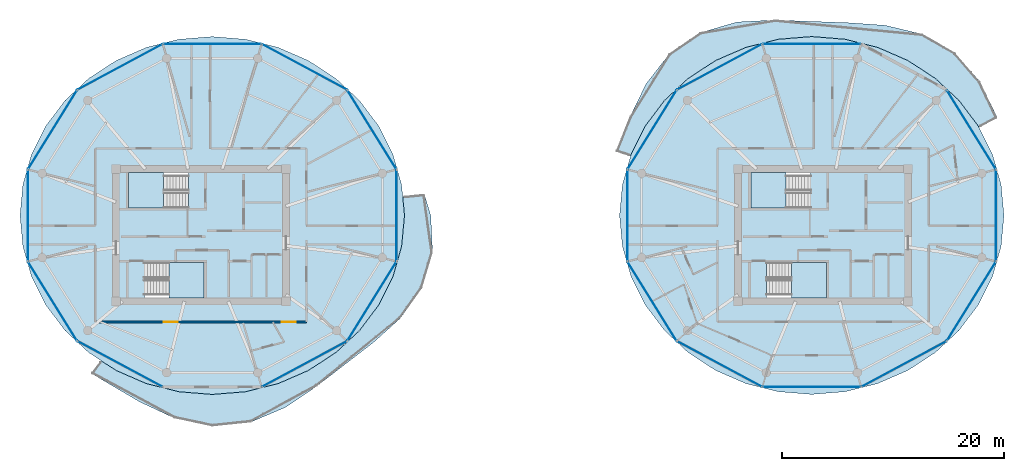
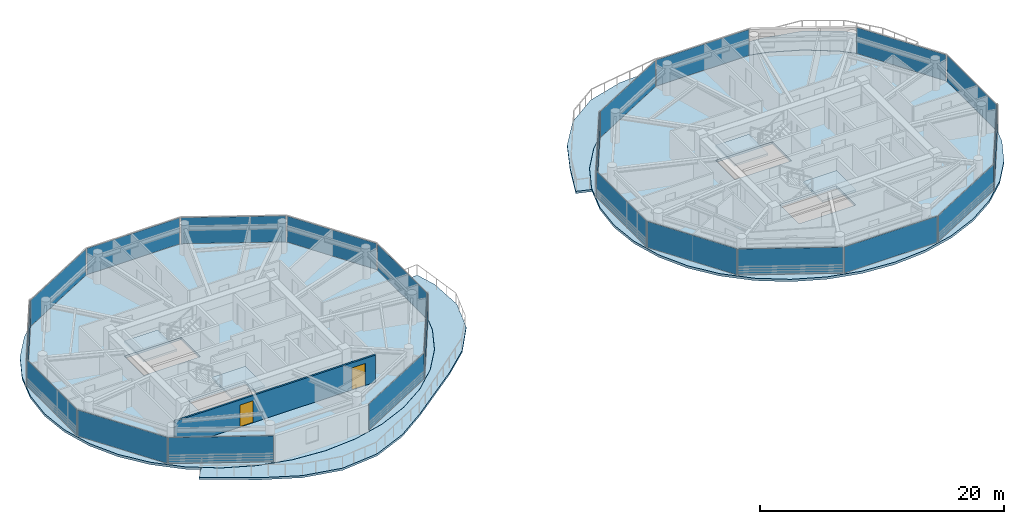
# One storey, part 11 of 22: 22 plates, 8 slabs, 2 doors, 1 wall, 2 openings, 26 elements without a shape of their own.
"""IFC4 building model written with IfcOpenShell, lengths in metres."""

from ifc_helpers import new_model, si_unit, direction, frame, frame_2d, origin, origin_2d, place, context, subcontext, project, spatial, polyline, rectangle, outline, extrude, source, transform, mapped, material, layer, layer_set, type_object, type_shapes, element, fill, aggregate, save


model = new_model("IFC4")

# Units and contexts
model_context = context("Model", 3, precision=1e-05, world=origin(), true_north=direction((0.0, 1.0)))
body_context = subcontext(model_context, "Body", "Model", "MODEL_VIEW")
ifc_project = project(units=[si_unit("LENGTHUNIT", "METRE"), si_unit("AREAUNIT", "SQUARE_METRE"), si_unit("VOLUMEUNIT", "CUBIC_METRE"), si_unit("PLANEANGLEUNIT", "RADIAN"), si_unit("MASSUNIT", "GRAM", prefix="KILO")], contexts=[model_context])

# Site, building, storey
site_placement = place(None, origin())
site = spatial("IfcSite", under=ifc_project, at=site_placement, CompositionType="ELEMENT")
building_placement = place(site_placement, origin())
building = spatial("IfcBuilding", under=site, at=building_placement, Name="Norrkilde Senior Care Towers", CompositionType="ELEMENT")
storey_placement = place(building_placement, frame((0.0, 0.0, 183.10009765625)))
storey = spatial("IfcBuildingStorey", under=building, at=storey_placement, Name="L57", CompositionType="ELEMENT", Elevation=183.10009765625)

# Slabs
ifc_material_1 = material(Name="Concrete C50/60", Category="concrete")
ifc_layer_1 = layer(ifc_material_1, 0.215087890625)
ifc_layer_set_1 = layer_set([ifc_layer_1], Name="Concrete C50/60")
slab_type_1 = type_object("IfcSlabType", Name="Sinusoidal Balcony Ribbon Slab 215", PredefinedType="FLOOR", material=ifc_layer_set_1)
slab_1_placement = place(storey_placement, frame((0.0, 0.0, -0.215087890625)))
element("IfcSlab", 1, at=slab_1_placement, inside=storey, type_object=slab_type_1, Name="L57 Drum W Swirling Senior Balcony 1", PredefinedType="FLOOR", context=body_context, shape_type="SweptSolid", body=[
    extrude(outline(polyline([(-10.050048828125, -7.479736328125), (-12.49853515625, -9.677001953125), (-15.023681640625, -11.622314453125), (-17.564697265625, -13.582763671875), (-20.341796875, -15.468505859375), (-23.520263671875, -16.82568359375), (-26.97509765625, -17.186767578125), (-30.3701171875, -16.46337890625), (-33.45703125, -15.021728515625), (-36.27197265625, -13.371826171875), (-37.861572265625, -12.43701171875), (-36.982177734375, -11.2890625), (-35.62744140625, -12.171875), (-32.8935546875, -13.3583984375), (-29.97998046875, -14.0849609375), (-26.97509765625, -14.32958984375), (-23.969970703125, -14.0849609375), (-21.056396484375, -13.3583984375), (-18.322509765625, -12.171875), (-15.8515625, -10.561767578125), (-13.718505859375, -8.57666015625), (-11.988525390625, -6.277099609375), (-10.713623046875, -3.73291015625), (-9.932861328125, -1.021240234375), (-9.669921875, 1.775390625), (-9.83056640625, 3.484375), (-7.886474609375, 3.67822265625), (-7.310546875, 1.775390625), (-7.14404296875, -1.5498046875), (-8.10205078125, -4.75439453125), (-10.050048828125, -7.479736328125)])), origin(), (0.0, 0.0, 1.0), 0.215087890625),
])
slab_2_placement = place(storey_placement, frame((0.0, 0.0, -0.215087890625)))
element("IfcSlab", 2, at=slab_2_placement, inside=storey, type_object=slab_type_1, Name="L57 Drum E Swirling Senior Balcony 1", PredefinedType="FLOOR", context=body_context, shape_type="SweptSolid", body=[
    extrude(outline(polyline([(10.627685546875, 10.672119140625), (12.064208984375, 13.619384765625), (14.142333984375, 16.301513671875), (16.970458984375, 18.239501953125), (20.283203125, 19.192138671875), (23.685791015625, 19.36865234375), (26.97509765625, 19.2421875), (30.224365234375, 19.125), (33.56494140625, 18.891357421875), (36.9033203125, 18.09765625), (39.87548828125, 16.388427734375), (42.11083984375, 13.822265625), (43.5595703125, 10.8193359375), (43.6494140625, 10.542236328125), (42.0302734375, 9.69091796875), (41.961669921875, 9.827880859375), (40.2314453125, 12.12744140625), (38.098388671875, 14.112548828125), (35.62744140625, 15.72265625), (32.8935546875, 16.9091796875), (29.97998046875, 17.6357421875), (26.97509765625, 17.88037109375), (23.969970703125, 17.6357421875), (21.056396484375, 16.9091796875), (18.322509765625, 15.72265625), (15.8515625, 14.112548828125), (13.718505859375, 12.12744140625), (11.988525390625, 9.827880859375), (10.713623046875, 7.28369140625), (10.66162109375, 7.103271484375), (9.36328125, 7.527099609375), (9.460693359375, 7.773681640625), (10.627685546875, 10.672119140625)])), origin(), (0.0, 0.0, 1.0), 0.215087890625),
])

# Stair, slab
ifc_material_2 = material(Name="Concrete C45/55", Category="concrete")
stair_type = type_object("IfcStairType", Name="Core Protected Dogleg Stair Typical 3050", PredefinedType="HALF_TURN_STAIR", material=ifc_material_2)
stair_1_placement = place(storey_placement, origin())
stair_1 = element("IfcStair", 3, at=stair_1_placement, inside=storey, type_object=stair_type, Name="L57 Protected Core Stair W1", PredefinedType="HALF_TURN_STAIR")
ifc_layer_2 = layer(ifc_material_2, 0.199951171875)
ifc_layer_set_2 = layer_set([ifc_layer_2], Name="Concrete C45/55")
slab_type_2 = type_object("IfcSlabType", Name="Stair Landing Slab 200", PredefinedType="LANDING", material=ifc_layer_set_2)
slab_3_placement = place(storey_placement, frame((0.0, 0.0, 1.324951171875)))
slab_3 = element("IfcSlab", 4, at=slab_3_placement, type_object=slab_type_2, Name="ST-W1 landing 1", PredefinedType="LANDING", context=body_context, shape_type="SweptSolid", body=[
    extrude(outline(polyline([(-31.340087890625, 5.639892578125), (-34.5, 5.639892578125), (-34.5, 2.449951171875), (-31.340087890625, 2.449951171875), (-31.340087890625, 5.639892578125)])), origin(), (0.0, 0.0, 1.0), 0.199951171875),
])
aggregate(stair_1, [slab_3])

stair_2_placement = place(storey_placement, origin())
stair_2 = element("IfcStair", 5, at=stair_2_placement, inside=storey, type_object=stair_type, Name="L57 Protected Core Stair W2", PredefinedType="HALF_TURN_STAIR")
slab_4_placement = place(storey_placement, frame((0.0, 0.0, 1.324951171875)))
slab_4 = element("IfcSlab", 6, at=slab_4_placement, type_object=slab_type_2, Name="ST-W2 landing 1", PredefinedType="LANDING", context=body_context, shape_type="SweptSolid", body=[
    extrude(outline(polyline([(-30.860107421875, -5.639892578125), (-27.699951171875, -5.639892578125), (-27.699951171875, -2.449951171875), (-30.860107421875, -2.449951171875), (-30.860107421875, -5.639892578125)])), origin(), (0.0, 0.0, 1.0), 0.199951171875),
])
aggregate(stair_2, [slab_4])

stair_3_placement = place(storey_placement, origin())
stair_3 = element("IfcStair", 7, at=stair_3_placement, inside=storey, type_object=stair_type, Name="L57 Protected Core Stair E1", PredefinedType="HALF_TURN_STAIR")
slab_5_placement = place(storey_placement, frame((0.0, 0.0, 1.324951171875)))
slab_5 = element("IfcSlab", 8, at=slab_5_placement, type_object=slab_type_2, Name="ST-E1 landing 1", PredefinedType="LANDING", context=body_context, shape_type="SweptSolid", body=[
    extrude(outline(polyline([(24.659912109375, 5.639892578125), (21.5, 5.639892578125), (21.5, 2.449951171875), (24.659912109375, 2.449951171875), (24.659912109375, 5.639892578125)])), origin(), (0.0, 0.0, 1.0), 0.199951171875),
])
aggregate(stair_3, [slab_5])

stair_4_placement = place(storey_placement, origin())
stair_4 = element("IfcStair", 9, at=stair_4_placement, inside=storey, type_object=stair_type, Name="L57 Protected Core Stair E2", PredefinedType="HALF_TURN_STAIR")
slab_6_placement = place(storey_placement, frame((0.0, 0.0, 1.324951171875)))
slab_6 = element("IfcSlab", 10, at=slab_6_placement, type_object=slab_type_2, Name="ST-E2 landing 1", PredefinedType="LANDING", context=body_context, shape_type="SweptSolid", body=[
    extrude(outline(polyline([(25.139892578125, -5.639892578125), (28.300048828125, -5.639892578125), (28.300048828125, -2.449951171875), (25.139892578125, -2.449951171875), (25.139892578125, -5.639892578125)])), origin(), (0.0, 0.0, 1.0), 0.199951171875),
])
aggregate(stair_4, [slab_6])

# Slabs
ifc_layer_3 = layer(ifc_material_1, 0.239990234375)
ifc_layer_set_3 = layer_set([ifc_layer_3], Name="Concrete C50/60")
slab_type_3 = type_object("IfcSlabType", Name="Tower Residence Floor Slab 240", PredefinedType="FLOOR", material=ifc_layer_set_3)
slab_7_placement = place(storey_placement, frame((0.0, 0.0, -0.239990234375)))
element("IfcSlab", 11, at=slab_7_placement, inside=storey, type_object=slab_type_3, Name="L57 Drum W Structural Floor Slab", PredefinedType="FLOOR", context=body_context, shape_type="SweptSolid", body=[
    extrude(outline(polyline([(-10.71826171875, -3.731201171875), (-11.99267578125, -6.274658203125), (-13.722412109375, -8.573486328125), (-15.854736328125, -10.557861328125), (-18.324951171875, -12.167724609375), (-21.05810546875, -13.353759765625), (-23.970947265625, -14.080078125), (-26.97509765625, -14.32470703125), (-29.97900390625, -14.080078125), (-32.891845703125, -13.353759765625), (-35.625, -12.167724609375), (-38.09521484375, -10.557861328125), (-40.2275390625, -8.573486328125), (-41.957275390625, -6.274658203125), (-43.231689453125, -3.731201171875), (-44.01220703125, -1.020263671875), (-44.27490234375, 1.775390625), (-44.01220703125, 4.571044921875), (-43.231689453125, 7.281982421875), (-41.957275390625, 9.825439453125), (-40.2275390625, 12.124267578125), (-38.09521484375, 14.108642578125), (-35.625, 15.71826171875), (-32.891845703125, 16.904296875), (-29.97900390625, 17.630859375), (-26.97509765625, 17.875244140625), (-23.970947265625, 17.630859375), (-21.05810546875, 16.904296875), (-18.324951171875, 15.71826171875), (-15.854736328125, 14.108642578125), (-13.722412109375, 12.124267578125), (-11.99267578125, 9.825439453125), (-10.71826171875, 7.281982421875), (-9.937744140625, 4.571044921875), (-9.675048828125, 1.775390625), (-9.937744140625, -1.020263671875), (-10.71826171875, -3.731201171875)]), holes=[polyline([(-34.48193359375, 2.468017578125), (-29.117919921875, 2.468017578125), (-29.117919921875, 5.639892578125), (-34.48193359375, 5.639892578125), (-34.48193359375, 2.468017578125)]), polyline([(-27.718017578125, -5.639892578125), (-27.718017578125, -2.468017578125), (-33.08203125, -2.468017578125), (-33.08203125, -5.639892578125), (-27.718017578125, -5.639892578125)])]), origin(), (0.0, 0.0, 1.0), 0.239990234375),
])
slab_8_placement = place(storey_placement, frame((0.0, 0.0, -0.239990234375)))
element("IfcSlab", 12, at=slab_8_placement, inside=storey, type_object=slab_type_3, Name="L57 Drum E Structural Floor Slab", PredefinedType="FLOOR", context=body_context, shape_type="SweptSolid", body=[
    extrude(outline(polyline([(43.231689453125, -3.731201171875), (41.957275390625, -6.274658203125), (40.2275390625, -8.573486328125), (38.09521484375, -10.557861328125), (35.625, -12.167724609375), (32.891845703125, -13.353759765625), (29.97900390625, -14.080078125), (26.97509765625, -14.32470703125), (23.970947265625, -14.080078125), (21.05810546875, -13.353759765625), (18.324951171875, -12.167724609375), (15.854736328125, -10.557861328125), (13.722412109375, -8.573486328125), (11.99267578125, -6.274658203125), (10.71826171875, -3.731201171875), (9.937744140625, -1.020263671875), (9.675048828125, 1.775390625), (9.937744140625, 4.571044921875), (10.71826171875, 7.281982421875), (11.99267578125, 9.825439453125), (13.722412109375, 12.124267578125), (15.854736328125, 14.108642578125), (18.324951171875, 15.71826171875), (21.05810546875, 16.904296875), (23.970947265625, 17.630859375), (26.97509765625, 17.875244140625), (29.97900390625, 17.630859375), (32.891845703125, 16.904296875), (35.625, 15.71826171875), (38.09521484375, 14.108642578125), (40.2275390625, 12.124267578125), (41.957275390625, 9.825439453125), (43.231689453125, 7.281982421875), (44.01220703125, 4.571044921875), (44.27490234375, 1.775390625), (44.01220703125, -1.020263671875), (43.231689453125, -3.731201171875)]), holes=[polyline([(21.51806640625, 2.468017578125), (26.882080078125, 2.468017578125), (26.882080078125, 5.639892578125), (21.51806640625, 5.639892578125), (21.51806640625, 2.468017578125)]), polyline([(28.281982421875, -5.639892578125), (28.281982421875, -2.468017578125), (22.91796875, -2.468017578125), (22.91796875, -5.639892578125), (28.281982421875, -5.639892578125)])]), origin(), (0.0, 0.0, 1.0), 0.239990234375),
])

# Curtain wall, plate
ifc_material_3 = material(Name="Triple Low-E Insulated Glazing", Category="glass")
ifc_layer_4 = layer(ifc_material_3, 0.18994140625)
ifc_layer_set_4 = layer_set([ifc_layer_4], Name="Triple Low-E Insulated Glazing")
curtain_wall_type = type_object("IfcCurtainWallType", Name="CW4 Zone 3 Senior Residence Curtain Wall", PredefinedType="NOTDEFINED", material=ifc_layer_set_4)
curtain_wall_1_placement = place(storey_placement, origin())
curtain_wall_1 = element("IfcCurtainWall", 13, at=curtain_wall_1_placement, inside=storey, type_object=curtain_wall_type, Name="L57 Drum W Curtain Wall 00", PredefinedType="NOTDEFINED")
ifc_layer_5 = layer(ifc_material_3, 0.035888671875)
ifc_layer_set_5 = layer_set([ifc_layer_5], Name="Triple Low-E Insulated Glazing")
plate_type = type_object("IfcPlateType", Name="Triple Low-E Vision Curtain Panel 36", PredefinedType="CURTAIN_PANEL", material=ifc_layer_set_5)
shared_shape_1 = source(origin(), body_context, "Body", "SweptSolid", [
    extrude(rectangle(XDim=8.301513671875, YDim=0.035888671875, at=origin_2d()), origin(), (0.0, 0.0, 1.0), 2.610107421875),
])
plate_1_placement = place(storey_placement, frame((-12.603759765625, 9.4931640625, 0.06005859375), z_axis=(0.0, 0.0, 1.0), x_axis=(0.52737270789, -0.84963405474, 0.0)))
plate_1 = element("IfcPlate", 14, at=plate_1_placement, type_object=plate_type, Name="CW-4 panel 1.1", PredefinedType="CURTAIN_PANEL", context=body_context, shape_type="MappedRepresentation", body=[
    mapped(shared_shape_1, transform((0.0, 0.0, 0.0), x_axis=(1.0, 0.0, 0.0), y_axis=(0.0, 1.0, 0.0), z_axis=(0.0, 0.0, 1.0), scale=1.0)),
])
aggregate(curtain_wall_1, [plate_1])

curtain_wall_2_placement = place(storey_placement, origin())
curtain_wall_2 = element("IfcCurtainWall", 15, at=curtain_wall_2_placement, inside=storey, type_object=curtain_wall_type, Name="L57 Drum W Curtain Wall 04", PredefinedType="NOTDEFINED")
plate_2_placement = place(storey_placement, frame((-41.346435546875, 9.4931640625, 0.06005859375), z_axis=(0.0, 0.0, 1.0), x_axis=(0.52737270789, 0.84963405474, 0.0)))
plate_2 = element("IfcPlate", 16, at=plate_2_placement, type_object=plate_type, Name="CW-4 panel 1.1", PredefinedType="CURTAIN_PANEL", context=body_context, shape_type="MappedRepresentation", body=[
    mapped(shared_shape_1, transform((0.0, 0.0, 0.0), x_axis=(1.0, 0.0, 0.0), y_axis=(0.0, 1.0, 0.0), z_axis=(0.0, 0.0, 1.0), scale=1.0)),
])
aggregate(curtain_wall_2, [plate_2])

curtain_wall_3_placement = place(storey_placement, origin())
curtain_wall_3 = element("IfcCurtainWall", 17, at=curtain_wall_3_placement, inside=storey, type_object=curtain_wall_type, Name="L57 Drum W Curtain Wall 06", PredefinedType="NOTDEFINED")
plate_3_placement = place(storey_placement, frame((-41.346435546875, -5.9423828125, 0.06005859375), z_axis=(0.0, 0.0, 1.0), x_axis=(-0.52737270789, 0.84963405474, 0.0)))
plate_3 = element("IfcPlate", 18, at=plate_3_placement, type_object=plate_type, Name="CW-4 panel 1.1", PredefinedType="CURTAIN_PANEL", context=body_context, shape_type="MappedRepresentation", body=[
    mapped(shared_shape_1, transform((0.0, 0.0, 0.0), x_axis=(1.0, 0.0, 0.0), y_axis=(0.0, 1.0, 0.0), z_axis=(0.0, 0.0, 1.0), scale=1.0)),
])
aggregate(curtain_wall_3, [plate_3])

curtain_wall_4_placement = place(storey_placement, origin())
curtain_wall_4 = element("IfcCurtainWall", 19, at=curtain_wall_4_placement, inside=storey, type_object=curtain_wall_type, Name="L57 Drum W Curtain Wall 10", PredefinedType="NOTDEFINED")
plate_4_placement = place(storey_placement, frame((-12.603759765625, -5.9423828125, 0.06005859375), z_axis=(0.0, 0.0, 1.0), x_axis=(-0.52737270789, -0.84963405474, 0.0)))
plate_4 = element("IfcPlate", 20, at=plate_4_placement, type_object=plate_type, Name="CW-4 panel 1.1", PredefinedType="CURTAIN_PANEL", context=body_context, shape_type="MappedRepresentation", body=[
    mapped(shared_shape_1, transform((0.0, 0.0, 0.0), x_axis=(1.0, 0.0, 0.0), y_axis=(0.0, 1.0, 0.0), z_axis=(0.0, 0.0, 1.0), scale=1.0)),
])
aggregate(curtain_wall_4, [plate_4])

curtain_wall_5_placement = place(storey_placement, origin())
curtain_wall_5 = element("IfcCurtainWall", 21, at=curtain_wall_5_placement, inside=storey, type_object=curtain_wall_type, Name="L57 Drum E Curtain Wall 00", PredefinedType="NOTDEFINED")
plate_5_placement = place(storey_placement, frame((41.346435546875, 9.4931640625, 0.06005859375), z_axis=(0.0, 0.0, 1.0), x_axis=(0.52737270789, -0.84963405474, 0.0)))
plate_5 = element("IfcPlate", 22, at=plate_5_placement, type_object=plate_type, Name="CW-4 panel 1.1", PredefinedType="CURTAIN_PANEL", context=body_context, shape_type="MappedRepresentation", body=[
    mapped(shared_shape_1, transform((0.0, 0.0, 0.0), x_axis=(1.0, 0.0, 0.0), y_axis=(0.0, 1.0, 0.0), z_axis=(0.0, 0.0, 1.0), scale=1.0)),
])
aggregate(curtain_wall_5, [plate_5])

curtain_wall_6_placement = place(storey_placement, origin())
curtain_wall_6 = element("IfcCurtainWall", 23, at=curtain_wall_6_placement, inside=storey, type_object=curtain_wall_type, Name="L57 Drum E Curtain Wall 04", PredefinedType="NOTDEFINED")
plate_6_placement = place(storey_placement, frame((12.603759765625, 9.4931640625, 0.06005859375), z_axis=(0.0, 0.0, 1.0), x_axis=(0.52737270789, 0.84963405474, 0.0)))
plate_6 = element("IfcPlate", 24, at=plate_6_placement, type_object=plate_type, Name="CW-4 panel 1.1", PredefinedType="CURTAIN_PANEL", context=body_context, shape_type="MappedRepresentation", body=[
    mapped(shared_shape_1, transform((0.0, 0.0, 0.0), x_axis=(1.0, 0.0, 0.0), y_axis=(0.0, 1.0, 0.0), z_axis=(0.0, 0.0, 1.0), scale=1.0)),
])
aggregate(curtain_wall_6, [plate_6])

curtain_wall_7_placement = place(storey_placement, origin())
curtain_wall_7 = element("IfcCurtainWall", 25, at=curtain_wall_7_placement, inside=storey, type_object=curtain_wall_type, Name="L57 Drum E Curtain Wall 06", PredefinedType="NOTDEFINED")
plate_7_placement = place(storey_placement, frame((12.603759765625, -5.9423828125, 0.06005859375), z_axis=(0.0, 0.0, 1.0), x_axis=(-0.52737270789, 0.84963405474, 0.0)))
plate_7 = element("IfcPlate", 26, at=plate_7_placement, type_object=plate_type, Name="CW-4 panel 1.1", PredefinedType="CURTAIN_PANEL", context=body_context, shape_type="MappedRepresentation", body=[
    mapped(shared_shape_1, transform((0.0, 0.0, 0.0), x_axis=(1.0, 0.0, 0.0), y_axis=(0.0, 1.0, 0.0), z_axis=(0.0, 0.0, 1.0), scale=1.0)),
])
aggregate(curtain_wall_7, [plate_7])

curtain_wall_8_placement = place(storey_placement, origin())
curtain_wall_8 = element("IfcCurtainWall", 27, at=curtain_wall_8_placement, inside=storey, type_object=curtain_wall_type, Name="L57 Drum E Curtain Wall 10", PredefinedType="NOTDEFINED")
plate_8_placement = place(storey_placement, frame((41.346435546875, -5.9423828125, 0.06005859375), z_axis=(0.0, 0.0, 1.0), x_axis=(-0.52737270789, -0.84963405474, 0.0)))
plate_8 = element("IfcPlate", 28, at=plate_8_placement, type_object=plate_type, Name="CW-4 panel 1.1", PredefinedType="CURTAIN_PANEL", context=body_context, shape_type="MappedRepresentation", body=[
    mapped(shared_shape_1, transform((0.0, 0.0, 0.0), x_axis=(1.0, 0.0, 0.0), y_axis=(0.0, 1.0, 0.0), z_axis=(0.0, 0.0, 1.0), scale=1.0)),
])
aggregate(curtain_wall_8, [plate_8])

curtain_wall_9_placement = place(storey_placement, origin())
curtain_wall_9 = element("IfcCurtainWall", 29, at=curtain_wall_9_placement, inside=storey, type_object=curtain_wall_type, Name="L57 Drum W Curtain Wall 01", PredefinedType="NOTDEFINED")
shared_shape_2 = source(origin(), body_context, "Body", "SweptSolid", [
    extrude(rectangle(XDim=8.61181640625, YDim=0.035888671875, at=origin_2d()), origin(), (0.0, 0.0, 1.0), 2.610107421875),
])
plate_9_placement = place(storey_placement, frame((-18.677734375, 15.142822265625, 0.06005859375), z_axis=(0.0, 0.0, 1.0), x_axis=(0.880999524059, -0.47311715104, 0.0)))
plate_9 = element("IfcPlate", 30, at=plate_9_placement, type_object=plate_type, Name="CW-4 panel 1.1", PredefinedType="CURTAIN_PANEL", context=body_context, shape_type="MappedRepresentation", body=[
    mapped(shared_shape_2, transform((0.0, 0.0, 0.0), x_axis=(1.0, 0.0, 0.0), y_axis=(0.0, 1.0, 0.0), z_axis=(0.0, 0.0, 1.0), scale=1.0)),
])
aggregate(curtain_wall_9, [plate_9])

curtain_wall_10_placement = place(storey_placement, origin())
curtain_wall_10 = element("IfcCurtainWall", 31, at=curtain_wall_10_placement, inside=storey, type_object=curtain_wall_type, Name="L57 Drum W Curtain Wall 03", PredefinedType="NOTDEFINED")
plate_10_placement = place(storey_placement, frame((-35.272216796875, 15.142822265625, 0.06005859375), z_axis=(0.0, 0.0, 1.0), x_axis=(0.880999524059, 0.47311715104, 0.0)))
plate_10 = element("IfcPlate", 32, at=plate_10_placement, type_object=plate_type, Name="CW-4 panel 1.1", PredefinedType="CURTAIN_PANEL", context=body_context, shape_type="MappedRepresentation", body=[
    mapped(shared_shape_2, transform((0.0, 0.0, 0.0), x_axis=(1.0, 0.0, 0.0), y_axis=(0.0, 1.0, 0.0), z_axis=(0.0, 0.0, 1.0), scale=1.0)),
])
aggregate(curtain_wall_10, [plate_10])

curtain_wall_11_placement = place(storey_placement, origin())
curtain_wall_11 = element("IfcCurtainWall", 33, at=curtain_wall_11_placement, inside=storey, type_object=curtain_wall_type, Name="L57 Drum W Curtain Wall 07", PredefinedType="NOTDEFINED")
plate_11_placement = place(storey_placement, frame((-35.272216796875, -11.59228515625, 0.06005859375), z_axis=(0.0, 0.0, 1.0), x_axis=(-0.880999524059, 0.47311715104, 0.0)))
plate_11 = element("IfcPlate", 34, at=plate_11_placement, type_object=plate_type, Name="CW-4 panel 1.1", PredefinedType="CURTAIN_PANEL", context=body_context, shape_type="MappedRepresentation", body=[
    mapped(shared_shape_2, transform((0.0, 0.0, 0.0), x_axis=(1.0, 0.0, 0.0), y_axis=(0.0, 1.0, 0.0), z_axis=(0.0, 0.0, 1.0), scale=1.0)),
])
aggregate(curtain_wall_11, [plate_11])

curtain_wall_12_placement = place(storey_placement, origin())
curtain_wall_12 = element("IfcCurtainWall", 35, at=curtain_wall_12_placement, inside=storey, type_object=curtain_wall_type, Name="L57 Drum W Curtain Wall 09", PredefinedType="NOTDEFINED")
plate_12_placement = place(storey_placement, frame((-18.677734375, -11.59228515625, 0.06005859375), z_axis=(0.0, 0.0, 1.0), x_axis=(-0.880999524059, -0.47311715104, 0.0)))
plate_12 = element("IfcPlate", 36, at=plate_12_placement, type_object=plate_type, Name="CW-4 panel 1.1", PredefinedType="CURTAIN_PANEL", context=body_context, shape_type="MappedRepresentation", body=[
    mapped(shared_shape_2, transform((0.0, 0.0, 0.0), x_axis=(1.0, 0.0, 0.0), y_axis=(0.0, 1.0, 0.0), z_axis=(0.0, 0.0, 1.0), scale=1.0)),
])
aggregate(curtain_wall_12, [plate_12])

curtain_wall_13_placement = place(storey_placement, origin())
curtain_wall_13 = element("IfcCurtainWall", 37, at=curtain_wall_13_placement, inside=storey, type_object=curtain_wall_type, Name="L57 Drum E Curtain Wall 03", PredefinedType="NOTDEFINED")
plate_13_placement = place(storey_placement, frame((18.677734375, 15.142822265625, 0.06005859375), z_axis=(0.0, 0.0, 1.0), x_axis=(0.880999524059, 0.47311715104, 0.0)))
plate_13 = element("IfcPlate", 38, at=plate_13_placement, type_object=plate_type, Name="CW-4 panel 1.1", PredefinedType="CURTAIN_PANEL", context=body_context, shape_type="MappedRepresentation", body=[
    mapped(shared_shape_2, transform((0.0, 0.0, 0.0), x_axis=(1.0, 0.0, 0.0), y_axis=(0.0, 1.0, 0.0), z_axis=(0.0, 0.0, 1.0), scale=1.0)),
])
aggregate(curtain_wall_13, [plate_13])

curtain_wall_14_placement = place(storey_placement, origin())
curtain_wall_14 = element("IfcCurtainWall", 39, at=curtain_wall_14_placement, inside=storey, type_object=curtain_wall_type, Name="L57 Drum E Curtain Wall 07", PredefinedType="NOTDEFINED")
plate_14_placement = place(storey_placement, frame((18.677734375, -11.59228515625, 0.06005859375), z_axis=(0.0, 0.0, 1.0), x_axis=(-0.880999524059, 0.47311715104, 0.0)))
plate_14 = element("IfcPlate", 40, at=plate_14_placement, type_object=plate_type, Name="CW-4 panel 1.1", PredefinedType="CURTAIN_PANEL", context=body_context, shape_type="MappedRepresentation", body=[
    mapped(shared_shape_2, transform((0.0, 0.0, 0.0), x_axis=(1.0, 0.0, 0.0), y_axis=(0.0, 1.0, 0.0), z_axis=(0.0, 0.0, 1.0), scale=1.0)),
])
aggregate(curtain_wall_14, [plate_14])

curtain_wall_15_placement = place(storey_placement, origin())
curtain_wall_15 = element("IfcCurtainWall", 41, at=curtain_wall_15_placement, inside=storey, type_object=curtain_wall_type, Name="L57 Drum E Curtain Wall 09", PredefinedType="NOTDEFINED")
plate_15_placement = place(storey_placement, frame((35.272216796875, -11.59228515625, 0.06005859375), z_axis=(0.0, 0.0, 1.0), x_axis=(-0.880999524059, -0.47311715104, 0.0)))
plate_15 = element("IfcPlate", 42, at=plate_15_placement, type_object=plate_type, Name="CW-4 panel 1.1", PredefinedType="CURTAIN_PANEL", context=body_context, shape_type="MappedRepresentation", body=[
    mapped(shared_shape_2, transform((0.0, 0.0, 0.0), x_axis=(1.0, 0.0, 0.0), y_axis=(0.0, 1.0, 0.0), z_axis=(0.0, 0.0, 1.0), scale=1.0)),
])
aggregate(curtain_wall_15, [plate_15])

curtain_wall_16_placement = place(storey_placement, origin())
curtain_wall_16 = element("IfcCurtainWall", 43, at=curtain_wall_16_placement, inside=storey, type_object=curtain_wall_type, Name="L57 Drum W Curtain Wall 02", PredefinedType="NOTDEFINED")
shared_shape_3 = source(origin(), body_context, "Body", "SweptSolid", [
    extrude(rectangle(XDim=8.762939453125, YDim=0.035888671875, at=origin_2d()), origin(), (0.0, 0.0, 1.0), 2.610107421875),
])
plate_16_placement = place(storey_placement, frame((-26.97509765625, 17.2109375, 0.06005859375), z_axis=(0.0, 0.0, 1.0), x_axis=(1.0, 0.0, 0.0)))
plate_16 = element("IfcPlate", 44, at=plate_16_placement, type_object=plate_type, Name="CW-4 panel 1.1", PredefinedType="CURTAIN_PANEL", context=body_context, shape_type="MappedRepresentation", body=[
    mapped(shared_shape_3, transform((0.0, 0.0, 0.0), x_axis=(1.0, 0.0, 0.0), y_axis=(0.0, 1.0, 0.0), z_axis=(0.0, 0.0, 1.0), scale=1.0)),
])
aggregate(curtain_wall_16, [plate_16])

curtain_wall_17_placement = place(storey_placement, origin())
curtain_wall_17 = element("IfcCurtainWall", 45, at=curtain_wall_17_placement, inside=storey, type_object=curtain_wall_type, Name="L57 Drum E Curtain Wall 02", PredefinedType="NOTDEFINED")
plate_17_placement = place(storey_placement, frame((26.97509765625, 17.2109375, 0.06005859375), z_axis=(0.0, 0.0, 1.0), x_axis=(1.0, 0.0, 0.0)))
plate_17 = element("IfcPlate", 46, at=plate_17_placement, type_object=plate_type, Name="CW-4 panel 1.1", PredefinedType="CURTAIN_PANEL", context=body_context, shape_type="MappedRepresentation", body=[
    mapped(shared_shape_3, transform((0.0, 0.0, 0.0), x_axis=(1.0, 0.0, 0.0), y_axis=(0.0, 1.0, 0.0), z_axis=(0.0, 0.0, 1.0), scale=1.0)),
])
aggregate(curtain_wall_17, [plate_17])

curtain_wall_18_placement = place(storey_placement, origin())
curtain_wall_18 = element("IfcCurtainWall", 47, at=curtain_wall_18_placement, inside=storey, type_object=curtain_wall_type, Name="L57 Drum E Curtain Wall 08", PredefinedType="NOTDEFINED")
plate_18_placement = place(storey_placement, frame((26.97509765625, -13.66015625, 0.06005859375), z_axis=(0.0, 0.0, 1.0), x_axis=(-1.0, 0.0, 0.0)))
plate_18 = element("IfcPlate", 48, at=plate_18_placement, type_object=plate_type, Name="CW-4 panel 1.1", PredefinedType="CURTAIN_PANEL", context=body_context, shape_type="MappedRepresentation", body=[
    mapped(shared_shape_3, transform((0.0, 0.0, 0.0), x_axis=(1.0, 0.0, 0.0), y_axis=(0.0, 1.0, 0.0), z_axis=(0.0, 0.0, 1.0), scale=1.0)),
])
aggregate(curtain_wall_18, [plate_18])

curtain_wall_19_placement = place(storey_placement, origin())
curtain_wall_19 = element("IfcCurtainWall", 49, at=curtain_wall_19_placement, inside=storey, type_object=curtain_wall_type, Name="L57 Drum W Curtain Wall 05", PredefinedType="NOTDEFINED")
shared_shape_4 = source(origin(), body_context, "Body", "SweptSolid", [
    extrude(rectangle(XDim=8.141845703125, YDim=0.035888671875, at=origin_2d()), origin(), (0.0, 0.0, 1.0), 2.610107421875),
])
type_shapes(plate_type, [shared_shape_1, shared_shape_2, shared_shape_3, shared_shape_4])
plate_19_placement = place(storey_placement, frame((-43.569580078125, 1.775390625, 0.06005859375), z_axis=(0.0, 0.0, 1.0), x_axis=(0.0, 1.0, 0.0)))
plate_19 = element("IfcPlate", 50, at=plate_19_placement, type_object=plate_type, Name="CW-4 panel 1.1", PredefinedType="CURTAIN_PANEL", context=body_context, shape_type="MappedRepresentation", body=[
    mapped(shared_shape_4, transform((0.0, 0.0, 0.0), x_axis=(1.0, 0.0, 0.0), y_axis=(0.0, 1.0, 0.0), z_axis=(0.0, 0.0, 1.0), scale=1.0)),
])
aggregate(curtain_wall_19, [plate_19])

curtain_wall_20_placement = place(storey_placement, origin())
curtain_wall_20 = element("IfcCurtainWall", 51, at=curtain_wall_20_placement, inside=storey, type_object=curtain_wall_type, Name="L57 Drum W Curtain Wall 11", PredefinedType="NOTDEFINED")
plate_20_placement = place(storey_placement, frame((-10.38037109375, 1.775390625, 0.06005859375), z_axis=(0.0, 0.0, 1.0), x_axis=(0.0, -1.0, 0.0)))
plate_20 = element("IfcPlate", 52, at=plate_20_placement, type_object=plate_type, Name="CW-4 panel 1.1", PredefinedType="CURTAIN_PANEL", context=body_context, shape_type="MappedRepresentation", body=[
    mapped(shared_shape_4, transform((0.0, 0.0, 0.0), x_axis=(1.0, 0.0, 0.0), y_axis=(0.0, 1.0, 0.0), z_axis=(0.0, 0.0, 1.0), scale=1.0)),
])
aggregate(curtain_wall_20, [plate_20])

curtain_wall_21_placement = place(storey_placement, origin())
curtain_wall_21 = element("IfcCurtainWall", 53, at=curtain_wall_21_placement, inside=storey, type_object=curtain_wall_type, Name="L57 Drum E Curtain Wall 05", PredefinedType="NOTDEFINED")
plate_21_placement = place(storey_placement, frame((10.38037109375, 1.775390625, 0.06005859375), z_axis=(0.0, 0.0, 1.0), x_axis=(0.0, 1.0, 0.0)))
plate_21 = element("IfcPlate", 54, at=plate_21_placement, type_object=plate_type, Name="CW-4 panel 1.1", PredefinedType="CURTAIN_PANEL", context=body_context, shape_type="MappedRepresentation", body=[
    mapped(shared_shape_4, transform((0.0, 0.0, 0.0), x_axis=(1.0, 0.0, 0.0), y_axis=(0.0, 1.0, 0.0), z_axis=(0.0, 0.0, 1.0), scale=1.0)),
])
aggregate(curtain_wall_21, [plate_21])

curtain_wall_22_placement = place(storey_placement, origin())
curtain_wall_22 = element("IfcCurtainWall", 55, at=curtain_wall_22_placement, inside=storey, type_object=curtain_wall_type, Name="L57 Drum E Curtain Wall 11", PredefinedType="NOTDEFINED")
plate_22_placement = place(storey_placement, frame((43.569580078125, 1.775390625, 0.06005859375), z_axis=(0.0, 0.0, 1.0), x_axis=(0.0, -1.0, 0.0)))
plate_22 = element("IfcPlate", 56, at=plate_22_placement, type_object=plate_type, Name="CW-4 panel 1.1", PredefinedType="CURTAIN_PANEL", context=body_context, shape_type="MappedRepresentation", body=[
    mapped(shared_shape_4, transform((0.0, 0.0, 0.0), x_axis=(1.0, 0.0, 0.0), y_axis=(0.0, 1.0, 0.0), z_axis=(0.0, 0.0, 1.0), scale=1.0)),
])
aggregate(curtain_wall_22, [plate_22])

# Wall, openings, doors
ifc_material_4 = material(Name="Gypsum Acoustic Board")
ifc_layer_6 = layer(ifc_material_4, 0.1650390625)
ifc_layer_set_6 = layer_set([ifc_layer_6], Name="Gypsum Acoustic Board")
wall_type = type_object("IfcWallType", Name="Corridor Rated Partition 165", PredefinedType="PARTITIONING", material=ifc_layer_set_6)
shared_shape_5 = source(origin(), body_context, "Body", "SweptSolid", [
    extrude(rectangle(XDim=19.0, YDim=0.1650390625, at=frame_2d((9.5, 0.0))), origin(), (0.0, 0.0, 1.0), 2.71484375),
])
type_shapes(wall_type, [shared_shape_5])
wall_placement = place(storey_placement, frame((-18.5, -7.800048828125, 0.0), z_axis=(0.0, 0.0, 1.0), x_axis=(-1.0, 0.0, 0.0)))
wall = element("IfcWall", 57, at=wall_placement, inside=storey, type_object=wall_type, Name="WL-INT-L57-W-CRW-S-0", PredefinedType="PARTITIONING", context=body_context, shape_type="MappedRepresentation", body=[
    mapped(shared_shape_5, transform((0.0, 0.0, 0.0), x_axis=(1.0, 0.0, 0.0), y_axis=(0.0, 1.0, 0.0), z_axis=(0.0, 0.0, 1.0), scale=1.0)),
])
opening_1_placement = place(wall_placement, frame((11.598388671875, 0.0, 0.0)))
opening_1 = element("IfcOpeningElement", 58, at=opening_1_placement, cuts=wall, Name="Opening D-05", PredefinedType="OPENING", context=body_context, shape_type="SweptSolid", body=[
    extrude(rectangle(XDim=1.25, YDim=2.199951171875, at=frame_2d((0.625, 1.10009765625))), frame((0.0, 0.092529296875, 0.0), z_axis=(0.0, -1.0, 0.0), x_axis=(1.0, 0.0, 0.0)), (0.0, 0.0, 1.0), 0.18505859375),
])
opening_2_placement = place(wall_placement, frame((0.962890625, 0.0, 0.0)))
opening_2 = element("IfcOpeningElement", 59, at=opening_2_placement, cuts=wall, Name="Opening D-05", PredefinedType="OPENING", context=body_context, shape_type="SweptSolid", body=[
    extrude(rectangle(XDim=1.25, YDim=2.199951171875, at=frame_2d((0.625, 1.10009765625))), frame((0.0, 0.092529296875, 0.0), z_axis=(0.0, -1.0, 0.0), x_axis=(1.0, 0.0, 0.0)), (0.0, 0.0, 1.0), 0.18505859375),
])
ifc_material_5 = material(Name="Nordic Ash Timber", Category="wood")
door_type = type_object("IfcDoorType", Name="Care Bedroom Bariatric Door 1250x2200", OperationType="NOTDEFINED", PredefinedType="DOOR", material=ifc_material_5)
shared_shape_6 = source(origin(), body_context, "Body", "SweptSolid", [
    extrude(rectangle(XDim=1.25, YDim=2.199951171875, at=frame_2d((0.625, 1.10009765625))), frame((0.0, 0.02490234375, 0.0), z_axis=(0.0, -1.0, 0.0), x_axis=(1.0, 0.0, 0.0)), (0.0, 0.0, 1.0), 0.050048828125),
])
type_shapes(door_type, [shared_shape_6])
door_1_placement = place(opening_1_placement, frame((1.25, 0.0, 0.0), z_axis=(0.0, 0.0, 1.0), x_axis=(-1.0, 0.0, 0.0)))
door_1 = element("IfcDoor", 60, at=door_1_placement, inside=storey, type_object=door_type, Name="L57 Resident Therapeutic Day Lounge Door", OperationType="SINGLE_SWING_LEFT", OverallHeight=2.199951171875, OverallWidth=1.25, PredefinedType="DOOR", context=body_context, shape_type="MappedRepresentation", body=[
    mapped(shared_shape_6, transform((0.0, 0.0, 0.0), x_axis=(1.0, 0.0, 0.0), y_axis=(0.0, 1.0, 0.0), z_axis=(0.0, 0.0, 1.0), scale=1.0)),
])
fill(opening_1, door_1)
door_2_placement = place(opening_2_placement, frame((1.25, 0.0, 0.0), z_axis=(0.0, 0.0, 1.0), x_axis=(-1.0, 0.0, 0.0)))
door_2 = element("IfcDoor", 61, at=door_2_placement, inside=storey, type_object=door_type, Name="L57 Care Suite 5709 Entrance Door", OperationType="SINGLE_SWING_LEFT", OverallHeight=2.199951171875, OverallWidth=1.25, PredefinedType="DOOR", context=body_context, shape_type="MappedRepresentation", body=[
    mapped(shared_shape_6, transform((0.0, 0.0, 0.0), x_axis=(1.0, 0.0, 0.0), y_axis=(0.0, 1.0, 0.0), z_axis=(0.0, 0.0, 1.0), scale=1.0)),
])
fill(opening_2, door_2)

save(model, "model.ifc")
